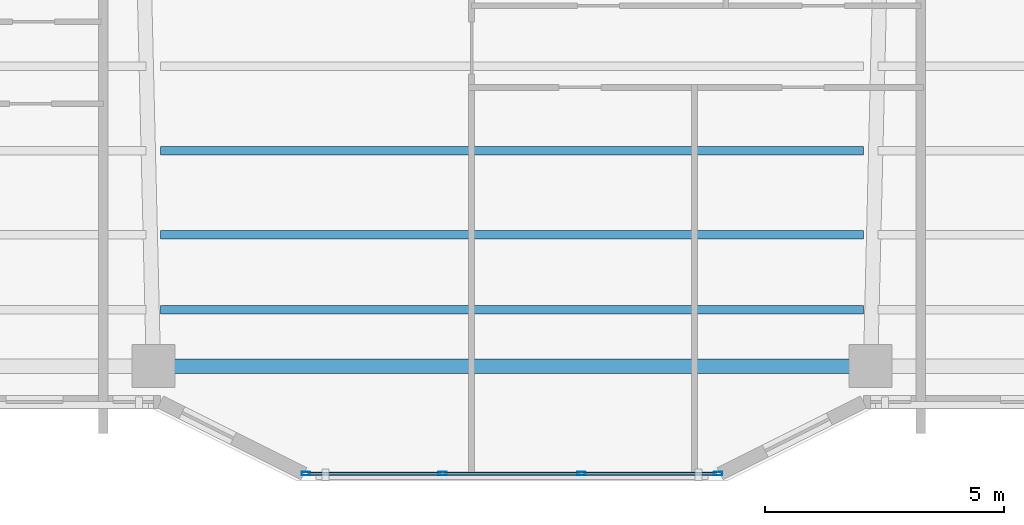
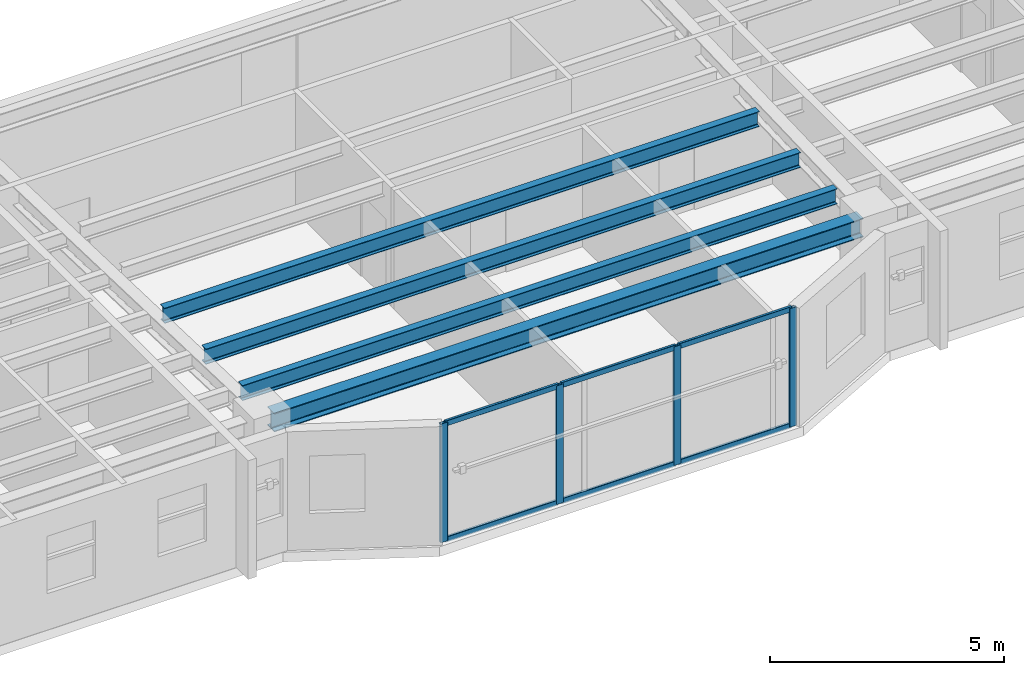
# One storey, part 2 of 15: 10 members, 4 beams, 1 element without a shape of its own.
"""IFC4 building model written with IfcOpenShell, lengths in metres."""

from ifc_helpers import new_model, si_unit, direction, frame, origin, origin_2d, place, context, subcontext, project, spatial, hollow_rectangle, i_section, extrude, material, layer, layer_set, material_profile, profile_set, type_object, element, aggregate, save


model = new_model("IFC4")

# Units and contexts
model_context = context("Model", 3, precision=1e-05, world=origin(), true_north=direction((0.0, 1.0)))
body_context = subcontext(model_context, "Body", "Model", "MODEL_VIEW")
ifc_project = project(units=[si_unit("LENGTHUNIT", "METRE"), si_unit("AREAUNIT", "SQUARE_METRE"), si_unit("VOLUMEUNIT", "CUBIC_METRE"), si_unit("PLANEANGLEUNIT", "RADIAN"), si_unit("MASSUNIT", "GRAM", prefix="KILO")], contexts=[model_context])

# Site, building, storey
site_placement = place(None, origin())
site = spatial("IfcSite", under=ifc_project, at=site_placement, CompositionType="ELEMENT")
building_placement = place(site_placement, origin())
building = spatial("IfcBuilding", under=site, at=building_placement, Name="Tarnavaz Court Tower", CompositionType="ELEMENT")
storey_placement = place(building_placement, frame((0.0, 0.0, 162.75)))
storey = spatial("IfcBuildingStorey", under=building, at=storey_placement, Name="L44", CompositionType="ELEMENT", Elevation=162.75)

# Beams
ifc_material_1 = material(Name="Steel S355", Category="steel")
ifc_material_profile_1 = material_profile(ifc_material_1, i_section(OverallWidth=0.179931640625, OverallDepth=0.39990234375, WebThickness=0.008544921875, FlangeThickness=0.013427734375, FilletRadius=0.02099609375, at=origin_2d()), Name="IPE 400")
ifc_profile_set_1 = profile_set([ifc_material_profile_1], Name="Steel S355")
beam_type_1 = type_object("IfcBeamType", Name="BM-J-IPE400", PredefinedType="JOIST", material=ifc_profile_set_1)
for number, where, z_axis, x_axis, name in (
    (1, (-7.35009765625, -15.89208984375, 2.89990234375), (1.0, 0.0, 0.0), (0.0, 1.0, 0.0), "L44 Beam JS3-2"),
    (2, (-7.35009765625, -17.656005859375, 2.89990234375), (1.0, 0.0, 0.0), (0.0, 1.0, 0.0), "L44 Beam JS4-2"),
    (3, (-7.35009765625, -19.22412109375, 2.89990234375), (1.0, 0.0, 0.0), (0.0, 1.0, 0.0), "L44 Beam JS5-2"),
):
    element("IfcBeam", number, at=place(storey_placement, frame(where, z_axis=z_axis, x_axis=x_axis)), inside=storey, type_object=beam_type_1, Name=name, PredefinedType="JOIST", context=body_context, shape_type="SweptSolid", body=[
        extrude(i_section(OverallWidth=0.179931640625, OverallDepth=0.39990234375, WebThickness=0.008544921875, FlangeThickness=0.013427734375, FilletRadius=0.02099609375, at=origin_2d()), origin(), (0.0, 0.0, 1.0), 14.7001953125),
    ])
ifc_material_profile_2 = material_profile(ifc_material_1, i_section(OverallWidth=0.300048828125, OverallDepth=0.489990234375, WebThickness=0.011962890625, FlangeThickness=0.02294921875, FilletRadius=0.027099609375, at=origin_2d()), Name="HEA 500")
ifc_profile_set_2 = profile_set([ifc_material_profile_2], Name="Steel S355")
beam_type_2 = type_object("IfcBeamType", Name="BM-SP-HEA500", PredefinedType="SPANDREL", material=ifc_profile_set_2)
beam_placement = place(storey_placement, frame((-7.280029296875, -20.39990234375, 2.85498046875), z_axis=(1.0, 0.0, 0.0), x_axis=(0.0, 1.0, 0.0)))
element("IfcBeam", 4, at=beam_placement, inside=storey, type_object=beam_type_2, Name="L44 Beam PR-PS-2-PS-3", PredefinedType="SPANDREL", context=body_context, shape_type="SweptSolid", body=[
    extrude(i_section(OverallWidth=0.300048828125, OverallDepth=0.489990234375, WebThickness=0.011962890625, FlangeThickness=0.02294921875, FilletRadius=0.027099609375, at=origin_2d()), origin(), (0.0, 0.0, 1.0), 14.56005859375),
])

# Curtain wall, members
ifc_material_2 = material(Name="Anodised Aluminium 6063-T6 and Solar Low-E Glazing", Category="aluminium")
ifc_layer = layer(ifc_material_2, 0.159912109375)
ifc_layer_set = layer_set([ifc_layer], Name="Anodised Aluminium 6063-T6 and Solar Low-E Glazing")
curtain_wall_type = type_object("IfcCurtainWallType", Name="CW-SYS-03", PredefinedType="NOTDEFINED", material=ifc_layer_set)
curtain_wall_placement = place(storey_placement, origin())
curtain_wall = element("IfcCurtainWall", 5, at=curtain_wall_placement, inside=storey, type_object=curtain_wall_type, Name="L44 Iwan Prow Curtain Wall 17", PredefinedType="NOTDEFINED")
ifc_material_3 = material(Name="Anodised Aluminium 6063-T6", Category="aluminium")
ifc_material_profile_3 = material_profile(ifc_material_3, hollow_rectangle(XDim=0.074951171875, YDim=0.179931640625, WallThickness=0.0048828125, InnerFilletRadius=0.0048828125, OuterFilletRadius=0.010009765625, at=origin_2d()), Name="ALU RHS 180X75X5")
ifc_profile_set_3 = profile_set([ifc_material_profile_3], Name="Anodised Aluminium 6063-T6")
member_type_1 = type_object("IfcMemberType", Name="CW-MUL-180", PredefinedType="MULLION", material=ifc_profile_set_3)
member_1_placement = place(storey_placement, frame((4.3125, -22.64990234375, 0.0), z_axis=(0.0, 0.0, 1.0), x_axis=(0.0, -1.0, 0.0)))
member_1 = element("IfcMember", 6, at=member_1_placement, type_object=member_type_1, Name="CW mullion 1", PredefinedType="MULLION", context=body_context, shape_type="SweptSolid", body=[
    extrude(hollow_rectangle(XDim=0.074951171875, YDim=0.179931640625, WallThickness=0.0048828125, InnerFilletRadius=0.0048828125, OuterFilletRadius=0.010009765625, at=origin_2d()), origin(), (0.0, 0.0, 1.0), 3.10009765625),
])
member_2_placement = place(storey_placement, frame((1.449951171875, -22.64990234375, 0.0), z_axis=(0.0, 0.0, 1.0), x_axis=(0.0, -1.0, 0.0)))
member_2 = element("IfcMember", 7, at=member_2_placement, type_object=member_type_1, Name="CW mullion 2", PredefinedType="MULLION", context=body_context, shape_type="SweptSolid", body=[
    extrude(hollow_rectangle(XDim=0.074951171875, YDim=0.179931640625, WallThickness=0.0048828125, InnerFilletRadius=0.0048828125, OuterFilletRadius=0.010009765625, at=origin_2d()), origin(), (0.0, 0.0, 1.0), 3.10009765625),
])
member_3_placement = place(storey_placement, frame((-1.449951171875, -22.64990234375, 0.0), z_axis=(0.0, 0.0, 1.0), x_axis=(0.0, -1.0, 0.0)))
member_3 = element("IfcMember", 8, at=member_3_placement, type_object=member_type_1, Name="CW mullion 3", PredefinedType="MULLION", context=body_context, shape_type="SweptSolid", body=[
    extrude(hollow_rectangle(XDim=0.074951171875, YDim=0.179931640625, WallThickness=0.0048828125, InnerFilletRadius=0.0048828125, OuterFilletRadius=0.010009765625, at=origin_2d()), origin(), (0.0, 0.0, 1.0), 3.10009765625),
])
member_4_placement = place(storey_placement, frame((-4.3125, -22.64990234375, 0.0), z_axis=(0.0, 0.0, 1.0), x_axis=(0.0, -1.0, 0.0)))
member_4 = element("IfcMember", 9, at=member_4_placement, type_object=member_type_1, Name="CW mullion 4", PredefinedType="MULLION", context=body_context, shape_type="SweptSolid", body=[
    extrude(hollow_rectangle(XDim=0.074951171875, YDim=0.179931640625, WallThickness=0.0048828125, InnerFilletRadius=0.0048828125, OuterFilletRadius=0.010009765625, at=origin_2d()), origin(), (0.0, 0.0, 1.0), 3.10009765625),
])
ifc_material_profile_4 = material_profile(ifc_material_3, hollow_rectangle(XDim=0.06494140625, YDim=0.139892578125, WallThickness=0.00390625, InnerFilletRadius=0.00390625, OuterFilletRadius=0.008056640625, at=origin_2d()), Name="ALU RHS 140X65X4")
ifc_profile_set_4 = profile_set([ifc_material_profile_4], Name="Anodised Aluminium 6063-T6")
member_type_2 = type_object("IfcMemberType", Name="CW-TRN-140", PredefinedType="USERDEFINED", material=ifc_profile_set_4)
member_5_placement = place(storey_placement, frame((4.27490234375, -22.64990234375, 0.032470703125), z_axis=(-1.0, 0.0, 0.0), x_axis=(0.0, -1.0, 0.0)))
member_5 = element("IfcMember", 10, at=member_5_placement, type_object=member_type_2, Name="CW transom 1.1", ObjectType="TRANSOM", PredefinedType="USERDEFINED", context=body_context, shape_type="SweptSolid", body=[
    extrude(hollow_rectangle(XDim=0.06494140625, YDim=0.139892578125, WallThickness=0.00390625, InnerFilletRadius=0.00390625, OuterFilletRadius=0.008056640625, at=origin_2d()), origin(), (0.0, 0.0, 1.0), 2.787353515625),
])
member_6_placement = place(storey_placement, frame((4.27490234375, -22.64990234375, 3.0673828125), z_axis=(-1.0, 0.0, 0.0), x_axis=(0.0, -1.0, 0.0)))
member_6 = element("IfcMember", 11, at=member_6_placement, type_object=member_type_2, Name="CW transom 1.2", ObjectType="TRANSOM", PredefinedType="USERDEFINED", context=body_context, shape_type="SweptSolid", body=[
    extrude(hollow_rectangle(XDim=0.06494140625, YDim=0.139892578125, WallThickness=0.00390625, InnerFilletRadius=0.00390625, OuterFilletRadius=0.008056640625, at=origin_2d()), origin(), (0.0, 0.0, 1.0), 2.787353515625),
])
member_7_placement = place(storey_placement, frame((1.41259765625, -22.64990234375, 0.032470703125), z_axis=(-1.0, 0.0, 0.0), x_axis=(0.0, -1.0, 0.0)))
member_7 = element("IfcMember", 12, at=member_7_placement, type_object=member_type_2, Name="CW transom 2.1", ObjectType="TRANSOM", PredefinedType="USERDEFINED", context=body_context, shape_type="SweptSolid", body=[
    extrude(hollow_rectangle(XDim=0.06494140625, YDim=0.139892578125, WallThickness=0.00390625, InnerFilletRadius=0.00390625, OuterFilletRadius=0.008056640625, at=origin_2d()), origin(), (0.0, 0.0, 1.0), 2.8251953125),
])
member_8_placement = place(storey_placement, frame((1.41259765625, -22.64990234375, 3.0673828125), z_axis=(-1.0, 0.0, 0.0), x_axis=(0.0, -1.0, 0.0)))
member_8 = element("IfcMember", 13, at=member_8_placement, type_object=member_type_2, Name="CW transom 2.2", ObjectType="TRANSOM", PredefinedType="USERDEFINED", context=body_context, shape_type="SweptSolid", body=[
    extrude(hollow_rectangle(XDim=0.06494140625, YDim=0.139892578125, WallThickness=0.00390625, InnerFilletRadius=0.00390625, OuterFilletRadius=0.008056640625, at=origin_2d()), origin(), (0.0, 0.0, 1.0), 2.8251953125),
])
member_9_placement = place(storey_placement, frame((-1.487548828125, -22.64990234375, 0.032470703125), z_axis=(-1.0, 0.0, 0.0), x_axis=(0.0, -1.0, 0.0)))
member_9 = element("IfcMember", 14, at=member_9_placement, type_object=member_type_2, Name="CW transom 3.1", ObjectType="TRANSOM", PredefinedType="USERDEFINED", context=body_context, shape_type="SweptSolid", body=[
    extrude(hollow_rectangle(XDim=0.06494140625, YDim=0.139892578125, WallThickness=0.00390625, InnerFilletRadius=0.00390625, OuterFilletRadius=0.008056640625, at=origin_2d()), origin(), (0.0, 0.0, 1.0), 2.787353515625),
])
member_10_placement = place(storey_placement, frame((-1.487548828125, -22.64990234375, 3.0673828125), z_axis=(-1.0, 0.0, 0.0), x_axis=(0.0, -1.0, 0.0)))
member_10 = element("IfcMember", 15, at=member_10_placement, type_object=member_type_2, Name="CW transom 3.2", ObjectType="TRANSOM", PredefinedType="USERDEFINED", context=body_context, shape_type="SweptSolid", body=[
    extrude(hollow_rectangle(XDim=0.06494140625, YDim=0.139892578125, WallThickness=0.00390625, InnerFilletRadius=0.00390625, OuterFilletRadius=0.008056640625, at=origin_2d()), origin(), (0.0, 0.0, 1.0), 2.787353515625),
])
aggregate(curtain_wall, [member_1, member_2, member_3, member_4, member_5, member_6, member_7, member_8, member_9, member_10])

save(model, "model.ifc")
